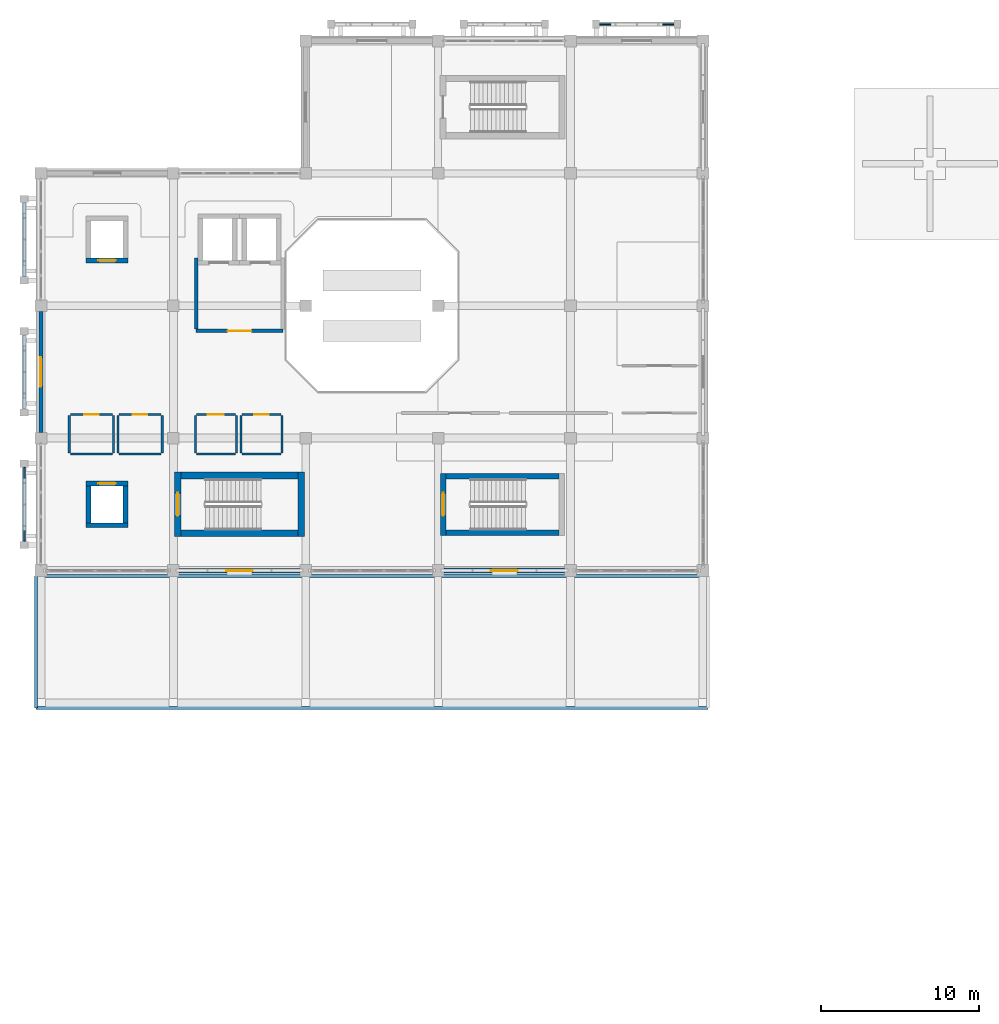
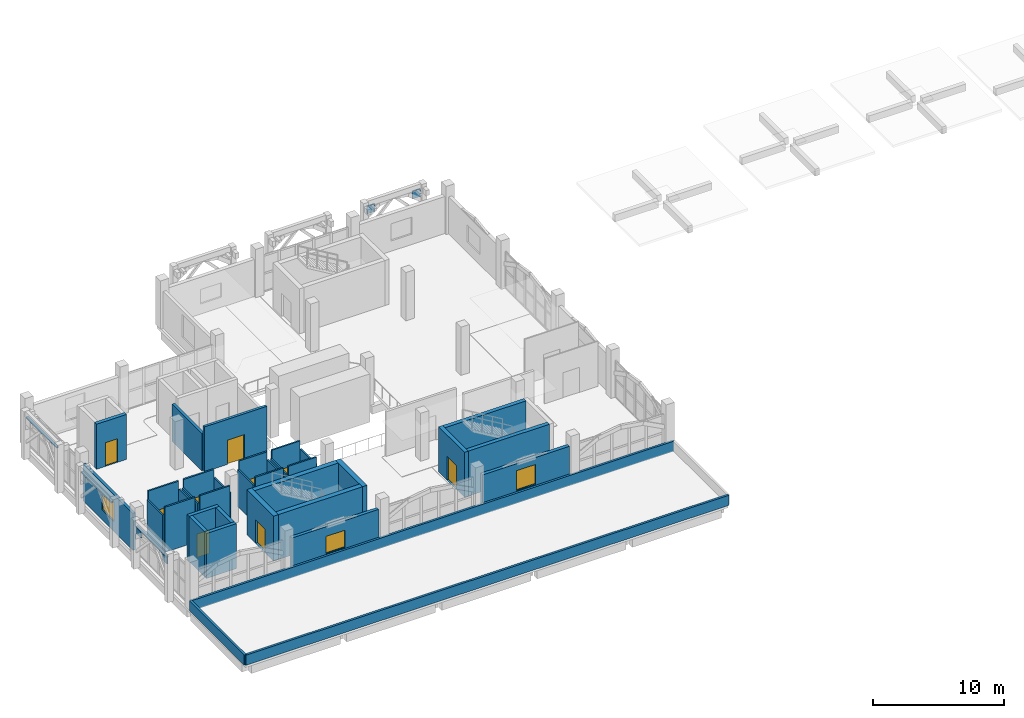
# One storey, part 23 of 30: 39 walls, 9 doors, 4 plates, 3 windows, 12 openings.
"""IFC4 building model written with IfcOpenShell, lengths in metres."""

from ifc_helpers import new_model, si_unit, direction, frame, frame_2d, origin, origin_2d, place, context, subcontext, project, spatial, rectangle, extrude, material, layer, layer_set, type_object, element, fill, save


model = new_model("IFC4")

# Units and contexts
model_context = context("Model", 3, precision=1e-05, world=origin(), true_north=direction((0.0, 1.0)))
body_context = subcontext(model_context, "Body", "Model", "MODEL_VIEW")
ifc_project = project(units=[si_unit("LENGTHUNIT", "METRE"), si_unit("AREAUNIT", "SQUARE_METRE"), si_unit("VOLUMEUNIT", "CUBIC_METRE"), si_unit("PLANEANGLEUNIT", "RADIAN"), si_unit("MASSUNIT", "GRAM", prefix="KILO")], contexts=[model_context])

# Site, building, storey
site_placement = place(None, origin())
site = spatial("IfcSite", under=ifc_project, at=site_placement, CompositionType="ELEMENT")
building_placement = place(site_placement, origin())
building = spatial("IfcBuilding", under=site, at=building_placement, Name="Xazarin Passage Department Store", CompositionType="ELEMENT")
storey_placement = place(building_placement, frame((0.0, 0.0, 23.39990234375)))
storey = spatial("IfcBuildingStorey", under=building, at=storey_placement, Name="L05", CompositionType="ELEMENT", Elevation=23.39990234375)

# Plates
ifc_material_1 = material(Name="Precast concrete C40/50", Category="concrete")
ifc_layer_1 = layer(ifc_material_1, 0.10009765625)
ifc_layer_set_1 = layer_set([ifc_layer_1], Name="Precast concrete C40/50")
plate_type = type_object("IfcPlateType", Name="ARC-PLT-SCR-03", PredefinedType="USERDEFINED", material=ifc_layer_set_1)
for number, where, z_axis, x_axis, name in (
    (1, (35.800048828125, 111.050048828125, 3.26025390625), (0.0, 0.0, 1.0), (1.0, 0.0, 0.0), "L05 V1 Arch Spandrel Tympanum 0043"),
    (2, (39.800048828125, 111.050048828125, 3.26025390625), (0.0, 0.0, 1.0), (1.0, 0.0, 0.0), "L05 V1 Arch Spandrel Tympanum 0044"),
    (3, (-1.050048828125, 78.60009765625, 3.26025390625), (0.0, 0.0, 1.0), (0.0, 1.0, 0.0), "L05 V1 Arch Spandrel Tympanum 0103"),
    (4, (-1.050048828125, 82.60009765625, 3.26025390625), (0.0, 0.0, 1.0), (0.0, 1.0, 0.0), "L05 V1 Arch Spandrel Tympanum 0104"),
):
    element("IfcPlate", number, at=place(storey_placement, frame(where, z_axis=z_axis, x_axis=x_axis)), inside=storey, type_object=plate_type, Name=name, ObjectType="SCREEN PANEL", PredefinedType="USERDEFINED", context=body_context, shape_type="SweptSolid", body=[
        extrude(rectangle(XDim=0.679931640625, YDim=0.10009765625, at=origin_2d()), origin(), (0.0, 0.0, 1.0), 0.719970703125),
    ])

# Wall, opening, window
ifc_layer_2 = layer(ifc_material_1, 0.239990234375)
ifc_layer_set_2 = layer_set([ifc_layer_2], Name="Precast concrete C40/50")
wall_type_1 = type_object("IfcWallType", Name="ARC-W-EXT240", PredefinedType="SOLIDWALL", material=ifc_layer_set_2)
wall_1_placement = place(storey_placement, frame((0.0, 85.175048828125, 0.0), z_axis=(0.0, 0.0, 1.0), x_axis=(0.0, 1.0, 0.0)))
wall_1 = element("IfcWall", 5, at=wall_1_placement, inside=storey, type_object=wall_type_1, Name="L05 V1 Exterior Wall 065", PredefinedType="SOLIDWALL", context=body_context, shape_type="SweptSolid", body=[
    extrude(rectangle(XDim=7.64990234375, YDim=0.239990234375, at=frame_2d((3.824951171875, 0.0))), origin(), (0.0, 0.0, 1.0), 3.4501953125),
])
opening_1_placement = place(wall_1_placement, frame((2.89990234375, 0.0, 0.949951171875)))
opening_1 = element("IfcOpeningElement", 6, at=opening_1_placement, cuts=wall_1, Name="Opening W27", PredefinedType="OPENING", context=body_context, shape_type="SweptSolid", body=[
    extrude(rectangle(XDim=1.85009765625, YDim=1.85009765625, at=frame_2d((0.925048828125, 0.925048828125))), frame((0.0, 0.1298828125, 0.0), z_axis=(0.0, -1.0, 0.0), x_axis=(1.0, 0.0, 0.0)), (0.0, 0.0, 1.0), 0.260009765625),
])
ifc_material_2 = material(Name="Low-E laminated safety glass", Category="glass")
window_type_1 = type_object("IfcWindowType", Name="ARC-WIN-W27", PartitioningType="DOUBLE_PANEL_VERTICAL", PredefinedType="WINDOW", material=ifc_material_2)
window_1_placement = place(opening_1_placement, origin())
window_1 = element("IfcWindow", 7, at=window_1_placement, inside=storey, type_object=window_type_1, Name="L05 V1 Facade Window 0027", OverallHeight=1.85009765625, OverallWidth=1.85009765625, PartitioningType="DOUBLE_PANEL_VERTICAL", PredefinedType="WINDOW", context=body_context, shape_type="SweptSolid", body=[
    extrude(rectangle(XDim=1.85009765625, YDim=1.85009765625, at=frame_2d((0.925048828125, 0.925048828125))), frame((0.0, 0.030029296875, 0.0), z_axis=(0.0, -1.0, 0.0), x_axis=(1.0, 0.0, 0.0)), (0.0, 0.0, 1.0), 0.06005859375),
])
fill(opening_1, window_1)

ifc_layer_3 = layer(ifc_material_1, 0.280029296875)
ifc_layer_set_3 = layer_set([ifc_layer_3], Name="Precast concrete C40/50")
wall_type_2 = type_object("IfcWallType", Name="ARC-W-EXT280", PredefinedType="SOLIDWALL", material=ifc_layer_set_3)
wall_2_placement = place(storey_placement, frame((8.77490234375, 76.39990234375, 0.0), z_axis=(0.0, 0.0, 1.0), x_axis=(1.0, 0.0, 0.0)))
wall_2 = element("IfcWall", 8, at=wall_2_placement, inside=storey, type_object=wall_type_2, Name="L05 V1 Exterior Wall 060", PredefinedType="SOLIDWALL", context=body_context, shape_type="SweptSolid", body=[
    extrude(rectangle(XDim=7.650146484375, YDim=0.280029296875, at=frame_2d((3.8251953125, 0.0))), origin(), (0.0, 0.0, 1.0), 3.4501953125),
])
opening_2_placement = place(wall_2_placement, frame((2.97509765625, 0.0, 0.949951171875)))
opening_2 = element("IfcOpeningElement", 9, at=opening_2_placement, cuts=wall_2, Name="Opening W22", PredefinedType="OPENING", context=body_context, shape_type="SweptSolid", body=[
    extrude(rectangle(XDim=1.699951171875, YDim=1.60009765625, at=frame_2d((0.85009765625, 0.800048828125))), frame((0.0, 0.14990234375, 0.0), z_axis=(0.0, -1.0, 0.0), x_axis=(1.0, 0.0, 0.0)), (0.0, 0.0, 1.0), 0.300048828125),
])
window_type_2 = type_object("IfcWindowType", Name="ARC-WIN-W22", PartitioningType="DOUBLE_PANEL_VERTICAL", PredefinedType="WINDOW", material=ifc_material_2)
window_2_placement = place(opening_2_placement, origin())
window_2 = element("IfcWindow", 10, at=window_2_placement, inside=storey, type_object=window_type_2, Name="L05 V1 Facade Window 0022", OverallHeight=1.60009765625, OverallWidth=1.699951171875, PartitioningType="DOUBLE_PANEL_VERTICAL", PredefinedType="WINDOW", context=body_context, shape_type="SweptSolid", body=[
    extrude(rectangle(XDim=1.699951171875, YDim=1.60009765625, at=frame_2d((0.85009765625, 0.800048828125))), frame((0.0, 0.030029296875, 0.0), z_axis=(0.0, -1.0, 0.0), x_axis=(1.0, 0.0, 0.0)), (0.0, 0.0, 1.0), 0.06005859375),
])
fill(opening_2, window_2)

ifc_layer_4 = layer(ifc_material_1, 0.300048828125)
ifc_layer_set_4 = layer_set([ifc_layer_4], Name="Precast concrete C40/50")
wall_type_3 = type_object("IfcWallType", Name="ARC-W-EXT300", PredefinedType="SOLIDWALL", material=ifc_layer_set_4)
wall_3_placement = place(storey_placement, frame((25.574951171875, 76.39990234375, 0.0), z_axis=(0.0, 0.0, 1.0), x_axis=(1.0, 0.0, 0.0)))
wall_3 = element("IfcWall", 11, at=wall_3_placement, inside=storey, type_object=wall_type_3, Name="L05 V1 Exterior Wall 061", PredefinedType="SOLIDWALL", context=body_context, shape_type="SweptSolid", body=[
    extrude(rectangle(XDim=7.650146484375, YDim=0.300048828125, at=frame_2d((3.8251953125, 0.0))), origin(), (0.0, 0.0, 1.0), 3.4501953125),
])
opening_3_placement = place(wall_3_placement, frame((2.97509765625, 0.0, 0.949951171875)))
opening_3 = element("IfcOpeningElement", 12, at=opening_3_placement, cuts=wall_3, Name="Opening W23", PredefinedType="OPENING", context=body_context, shape_type="SweptSolid", body=[
    extrude(rectangle(XDim=1.699951171875, YDim=1.85009765625, at=frame_2d((0.85009765625, 0.925048828125))), frame((0.0, 0.159912109375, 0.0), z_axis=(0.0, -1.0, 0.0), x_axis=(1.0, 0.0, 0.0)), (0.0, 0.0, 1.0), 0.320068359375),
])
window_type_3 = type_object("IfcWindowType", Name="ARC-WIN-W23", PartitioningType="DOUBLE_PANEL_VERTICAL", PredefinedType="WINDOW", material=ifc_material_2)
window_3_placement = place(opening_3_placement, origin())
window_3 = element("IfcWindow", 13, at=window_3_placement, inside=storey, type_object=window_type_3, Name="L05 V1 Facade Window 0023", OverallHeight=1.85009765625, OverallWidth=1.699951171875, PartitioningType="DOUBLE_PANEL_VERTICAL", PredefinedType="WINDOW", context=body_context, shape_type="SweptSolid", body=[
    extrude(rectangle(XDim=1.699951171875, YDim=1.85009765625, at=frame_2d((0.85009765625, 0.925048828125))), frame((0.0, 0.030029296875, 0.0), z_axis=(0.0, -1.0, 0.0), x_axis=(1.0, 0.0, 0.0)), (0.0, 0.0, 1.0), 0.06005859375),
])
fill(opening_3, window_3)

# Wall, opening, door
ifc_material_3 = material(Name="Concrete C35/45", Category="concrete")
ifc_layer_5 = layer(ifc_material_3, 0.22509765625)
ifc_layer_set_5 = layer_set([ifc_layer_5], Name="Concrete C35/45")
wall_type_4 = type_object("IfcWallType", Name="ARC-W-FIR225", PredefinedType="PARTITIONING", material=ifc_layer_set_5)
wall_4_placement = place(storey_placement, frame((9.85009765625, 91.60009765625, 0.0), z_axis=(0.0, 0.0, 1.0), x_axis=(1.0, 0.0, 0.0)))
wall_4 = element("IfcWall", 14, at=wall_4_placement, inside=storey, type_object=wall_type_4, Name="L05 Firefighting Lift Lobby South Wall 0019", PredefinedType="PARTITIONING", context=body_context, shape_type="SweptSolid", body=[
    extrude(rectangle(XDim=5.5, YDim=0.22509765625, at=frame_2d((2.75, 0.0))), origin(), (0.0, 0.0, 1.0), 4.2001953125),
])
opening_4_placement = place(wall_4_placement, frame((2.0, 0.0, 0.0)))
opening_4 = element("IfcOpeningElement", 15, at=opening_4_placement, cuts=wall_4, Name="Opening FD3", PredefinedType="OPENING", context=body_context, shape_type="SweptSolid", body=[
    extrude(rectangle(XDim=1.5, YDim=2.25, at=frame_2d((0.75, 1.125))), frame((0.0, 0.12255859375, 0.0), z_axis=(0.0, -1.0, 0.0), x_axis=(1.0, 0.0, 0.0)), (0.0, 0.0, 1.0), 0.2451171875),
])
ifc_material_4 = material(Name="Steel S355", Category="steel")
door_type_1 = type_object("IfcDoorType", Name="ARC-DR-FFL150", OperationType="NOTDEFINED", PredefinedType="DOOR", material=ifc_material_4)
door_1_placement = place(opening_4_placement, origin())
door_1 = element("IfcDoor", 16, at=door_1_placement, inside=storey, type_object=door_type_1, Name="DR-INT-L05-0019", OperationType="SINGLE_SWING_RIGHT", OverallHeight=2.25, OverallWidth=1.5, PredefinedType="DOOR", context=body_context, shape_type="SweptSolid", body=[
    extrude(rectangle(XDim=1.5, YDim=2.25, at=frame_2d((0.75, 1.125))), frame((0.0, 0.02490234375, 0.0), z_axis=(0.0, -1.0, 0.0), x_axis=(1.0, 0.0, 0.0)), (0.0, 0.0, 1.0), 0.050048828125),
])
fill(opening_4, door_1)

# Walls
wall_5_placement = place(storey_placement, frame((9.85009765625, 91.7099609375, 0.0), z_axis=(0.0, 0.0, 1.0), x_axis=(0.0, 1.0, 0.0)))
element("IfcWall", 17, at=wall_5_placement, inside=storey, type_object=wall_type_4, Name="L05 Firefighting Lift Lobby West Wall 0020", PredefinedType="PARTITIONING", context=body_context, shape_type="SweptSolid", body=[
    extrude(rectangle(XDim=4.530029296875, YDim=0.22509765625, at=frame_2d((2.26513671875, 0.0))), origin(), (0.0, 0.0, 1.0), 3.5),
])
ifc_layer_6 = layer(ifc_material_1, 0.18994140625)
ifc_layer_set_6 = layer_set([ifc_layer_6], Name="Precast concrete C40/50")
wall_type_5 = type_object("IfcWallType", Name="ARC-W-PAR190", PredefinedType="PARAPET", material=ifc_layer_set_6)
wall_6_placement = place(storey_placement, frame((-1.050048828125, 78.27001953125, 3.880126953125), z_axis=(0.0, 0.0, 1.0), x_axis=(0.0, 1.0, 0.0)))
element("IfcWall", 18, at=wall_6_placement, inside=storey, type_object=wall_type_5, Name="L05 V1 Pierced-Arch Spandrel Lintel 0052", PredefinedType="PARAPET", context=body_context, shape_type="SweptSolid", body=[
    extrude(rectangle(XDim=4.659912109375, YDim=0.18994140625, at=frame_2d((2.330078125, 0.0))), origin(), (0.0, 0.0, 1.0), 0.119873046875),
])
wall_7_placement = place(storey_placement, frame((-1.050048828125, 86.669921875, 3.880126953125), z_axis=(0.0, 0.0, 1.0), x_axis=(0.0, 1.0, 0.0)))
element("IfcWall", 19, at=wall_7_placement, inside=storey, type_object=wall_type_5, Name="L05 V1 Pierced-Arch Spandrel Lintel 0060", PredefinedType="PARAPET", context=body_context, shape_type="SweptSolid", body=[
    extrude(rectangle(XDim=4.66015625, YDim=0.18994140625, at=frame_2d((2.330078125, 0.0))), origin(), (0.0, 0.0, 1.0), 0.119873046875),
])
wall_8_placement = place(storey_placement, frame((-1.050048828125, 95.070068359375, 3.880126953125), z_axis=(0.0, 0.0, 1.0), x_axis=(0.0, 1.0, 0.0)))
element("IfcWall", 20, at=wall_8_placement, inside=storey, type_object=wall_type_5, Name="L05 V1 Pierced-Arch Spandrel Lintel 0068", PredefinedType="PARAPET", context=body_context, shape_type="SweptSolid", body=[
    extrude(rectangle(XDim=4.659912109375, YDim=0.18994140625, at=frame_2d((2.330078125, 0.0))), origin(), (0.0, 0.0, 1.0), 0.119873046875),
])
wall_9_placement = place(storey_placement, frame((42.300048828125, 76.050048828125, 0.0), z_axis=(0.0, 0.0, 1.0), x_axis=(-1.0, 0.0, 0.0)))
element("IfcWall", 21, at=wall_9_placement, inside=storey, type_object=wall_type_5, Name="L05 Roof Parapet 025", PredefinedType="PARAPET", context=body_context, shape_type="SweptSolid", body=[
    extrude(rectangle(XDim=42.60009765625, YDim=0.18994140625, at=frame_2d((21.300048828125, 0.0))), origin(), (0.0, 0.0, 1.0), 0.9501953125),
])
wall_10_placement = place(storey_placement, frame((-0.300048828125, 76.050048828125, 0.0), z_axis=(0.0, 0.0, 1.0), x_axis=(0.0, -1.0, 0.0)))
element("IfcWall", 22, at=wall_10_placement, inside=storey, type_object=wall_type_5, Name="L05 Roof Parapet 026", PredefinedType="PARAPET", context=body_context, shape_type="SweptSolid", body=[
    extrude(rectangle(XDim=8.35009765625, YDim=0.18994140625, at=frame_2d((4.175048828125, 0.0))), origin(), (0.0, 0.0, 1.0), 0.9501953125),
])
wall_11_placement = place(storey_placement, frame((-0.300048828125, 67.699951171875, 0.0), z_axis=(0.0, 0.0, 1.0), x_axis=(1.0, 0.0, 0.0)))
element("IfcWall", 23, at=wall_11_placement, inside=storey, type_object=wall_type_5, Name="L05 Roof Parapet 027", PredefinedType="PARAPET", context=body_context, shape_type="SweptSolid", body=[
    extrude(rectangle(XDim=42.60009765625, YDim=0.18994140625, at=frame_2d((21.300048828125, 0.0))), origin(), (0.0, 0.0, 1.0), 0.9501953125),
])

# Wall, opening, door
ifc_material_5 = material(Name="Moisture-resistant masonry partition", Category="masonry")
ifc_layer_7 = layer(ifc_material_5, 0.139892578125)
ifc_layer_set_7 = layer_set([ifc_layer_7], Name="Moisture-resistant masonry partition")
wall_type_6 = type_object("IfcWallType", Name="ARC-W-PRT140", PredefinedType="PARTITIONING", material=ifc_layer_set_7)
wall_12_placement = place(storey_placement, frame((1.8701171875, 86.300048828125, 0.0), z_axis=(0.0, 0.0, 1.0), x_axis=(1.0, 0.0, 0.0)))
wall_12 = element("IfcWall", 24, at=wall_12_placement, inside=storey, type_object=wall_type_6, Name="L05 Public Male WC 0252", PredefinedType="PARTITIONING", context=body_context, shape_type="SweptSolid", body=[
    extrude(rectangle(XDim=2.659912109375, YDim=0.139892578125, at=frame_2d((1.330078125, 0.0))), origin(), (0.0, 0.0, 1.0), 4.2001953125),
])
opening_5_placement = place(wall_12_placement, frame((0.8701171875, 0.0, 0.0)))
opening_5 = element("IfcOpeningElement", 25, at=opening_5_placement, cuts=wall_12, Name="Opening ID1", PredefinedType="OPENING", context=body_context, shape_type="SweptSolid", body=[
    extrude(rectangle(XDim=0.919921875, YDim=2.1201171875, at=frame_2d((0.4599609375, 1.06005859375))), frame((0.0, 0.079833984375, 0.0), z_axis=(0.0, -1.0, 0.0), x_axis=(1.0, 0.0, 0.0)), (0.0, 0.0, 1.0), 0.159912109375),
])
ifc_material_6 = material(Name="Timber acoustic leaf", Category="wood")
door_type_2 = type_object("IfcDoorType", Name="ARC-DR-WC092", OperationType="NOTDEFINED", PredefinedType="DOOR", material=ifc_material_6)
door_2_placement = place(opening_5_placement, origin())
door_2 = element("IfcDoor", 26, at=door_2_placement, inside=storey, type_object=door_type_2, Name="DR-INT-L05-0252", OperationType="SINGLE_SWING_RIGHT", OverallHeight=2.1201171875, OverallWidth=0.919921875, PredefinedType="DOOR", context=body_context, shape_type="SweptSolid", body=[
    extrude(rectangle(XDim=0.919921875, YDim=2.1201171875, at=frame_2d((0.4599609375, 1.06005859375))), frame((0.0, 0.02490234375, 0.0), z_axis=(0.0, -1.0, 0.0), x_axis=(1.0, 0.0, 0.0)), (0.0, 0.0, 1.0), 0.050048828125),
])
fill(opening_5, door_2)

# Walls
wall_13_placement = place(storey_placement, frame((1.8701171875, 83.800048828125, 0.0), z_axis=(0.0, 0.0, 1.0), x_axis=(1.0, 0.0, 0.0)))
element("IfcWall", 27, at=wall_13_placement, inside=storey, type_object=wall_type_6, Name="L05 Public Male WC Back Wall 0253", PredefinedType="PARTITIONING", context=body_context, shape_type="SweptSolid", body=[
    extrude(rectangle(XDim=2.659912109375, YDim=0.139892578125, at=frame_2d((1.330078125, 0.0))), origin(), (0.0, 0.0, 1.0), 4.2001953125),
])
for number, where, z_axis, x_axis, name in (
    (28, (1.800048828125, 83.8701171875, 0.0), (0.0, 0.0, 1.0), (0.0, 1.0, 0.0), "L05 Public Male WC Side Wall 0254"),
    (29, (4.60009765625, 83.8701171875, 0.0), (0.0, 0.0, 1.0), (0.0, 1.0, 0.0), "L05 Public Male WC Side Wall 0255"),
):
    element("IfcWall", number, at=place(storey_placement, frame(where, z_axis=z_axis, x_axis=x_axis)), inside=storey, type_object=wall_type_6, Name=name, PredefinedType="PARTITIONING", context=body_context, shape_type="SweptSolid", body=[
        extrude(rectangle(XDim=2.35986328125, YDim=0.139892578125, at=frame_2d((1.179931640625, 0.0))), origin(), (0.0, 0.0, 1.0), 3.4501953125),
    ])

# Wall, opening, door
wall_14_placement = place(storey_placement, frame((4.969970703125, 86.300048828125, 0.0), z_axis=(0.0, 0.0, 1.0), x_axis=(1.0, 0.0, 0.0)))
wall_14 = element("IfcWall", 30, at=wall_14_placement, inside=storey, type_object=wall_type_6, Name="L05 Public Female WC 0256", PredefinedType="PARTITIONING", context=body_context, shape_type="SweptSolid", body=[
    extrude(rectangle(XDim=2.659912109375, YDim=0.139892578125, at=frame_2d((1.330078125, 0.0))), origin(), (0.0, 0.0, 1.0), 4.2001953125),
])
opening_6_placement = place(wall_14_placement, frame((0.8701171875, 0.0, 0.0)))
opening_6 = element("IfcOpeningElement", 31, at=opening_6_placement, cuts=wall_14, Name="Opening ID1", PredefinedType="OPENING", context=body_context, shape_type="SweptSolid", body=[
    extrude(rectangle(XDim=0.919921875, YDim=2.1201171875, at=frame_2d((0.4599609375, 1.06005859375))), frame((0.0, 0.079833984375, 0.0), z_axis=(0.0, -1.0, 0.0), x_axis=(1.0, 0.0, 0.0)), (0.0, 0.0, 1.0), 0.159912109375),
])
door_3_placement = place(opening_6_placement, origin())
door_3 = element("IfcDoor", 32, at=door_3_placement, inside=storey, type_object=door_type_2, Name="DR-INT-L05-0256", OperationType="SINGLE_SWING_LEFT", OverallHeight=2.1201171875, OverallWidth=0.919921875, PredefinedType="DOOR", context=body_context, shape_type="SweptSolid", body=[
    extrude(rectangle(XDim=0.919921875, YDim=2.1201171875, at=frame_2d((0.4599609375, 1.06005859375))), frame((0.0, 0.02490234375, 0.0), z_axis=(0.0, -1.0, 0.0), x_axis=(1.0, 0.0, 0.0)), (0.0, 0.0, 1.0), 0.050048828125),
])
fill(opening_6, door_3)

# Walls
wall_15_placement = place(storey_placement, frame((4.969970703125, 83.800048828125, 0.0), z_axis=(0.0, 0.0, 1.0), x_axis=(1.0, 0.0, 0.0)))
element("IfcWall", 33, at=wall_15_placement, inside=storey, type_object=wall_type_6, Name="L05 Public Female WC Back Wall 0257", PredefinedType="PARTITIONING", context=body_context, shape_type="SweptSolid", body=[
    extrude(rectangle(XDim=2.659912109375, YDim=0.139892578125, at=frame_2d((1.330078125, 0.0))), origin(), (0.0, 0.0, 1.0), 4.2001953125),
])
for number, where, z_axis, x_axis, name in (
    (34, (4.89990234375, 83.8701171875, 0.0), (0.0, 0.0, 1.0), (0.0, 1.0, 0.0), "L05 Public Female WC Side Wall 0258"),
    (35, (7.699951171875, 83.8701171875, 0.0), (0.0, 0.0, 1.0), (0.0, 1.0, 0.0), "L05 Public Female WC Side Wall 0259"),
):
    element("IfcWall", number, at=place(storey_placement, frame(where, z_axis=z_axis, x_axis=x_axis)), inside=storey, type_object=wall_type_6, Name=name, PredefinedType="PARTITIONING", context=body_context, shape_type="SweptSolid", body=[
        extrude(rectangle(XDim=2.35986328125, YDim=0.139892578125, at=frame_2d((1.179931640625, 0.0))), origin(), (0.0, 0.0, 1.0), 3.4501953125),
    ])

# Wall, opening, door
wall_16_placement = place(storey_placement, frame((9.8701171875, 86.300048828125, 0.0), z_axis=(0.0, 0.0, 1.0), x_axis=(1.0, 0.0, 0.0)))
wall_16 = element("IfcWall", 36, at=wall_16_placement, inside=storey, type_object=wall_type_6, Name="L05 Accessible WC 0260", PredefinedType="PARTITIONING", context=body_context, shape_type="SweptSolid", body=[
    extrude(rectangle(XDim=2.4599609375, YDim=0.139892578125, at=frame_2d((1.22998046875, 0.0))), origin(), (0.0, 0.0, 1.0), 4.2001953125),
])
opening_7_placement = place(wall_16_placement, frame((0.719970703125, 0.0, 0.0)))
opening_7 = element("IfcOpeningElement", 37, at=opening_7_placement, cuts=wall_16, Name="Opening ID2", PredefinedType="OPENING", context=body_context, shape_type="SweptSolid", body=[
    extrude(rectangle(XDim=1.02001953125, YDim=2.14990234375, at=frame_2d((0.510009765625, 1.074951171875))), frame((0.0, 0.079833984375, 0.0), z_axis=(0.0, -1.0, 0.0), x_axis=(1.0, 0.0, 0.0)), (0.0, 0.0, 1.0), 0.159912109375),
])
door_type_3 = type_object("IfcDoorType", Name="ARC-DR-AWC102", OperationType="NOTDEFINED", PredefinedType="DOOR", material=ifc_material_6)
door_4_placement = place(opening_7_placement, origin())
door_4 = element("IfcDoor", 38, at=door_4_placement, inside=storey, type_object=door_type_3, Name="DR-INT-L05-0260", OperationType="SINGLE_SWING_RIGHT", OverallHeight=2.14990234375, OverallWidth=1.02001953125, PredefinedType="DOOR", context=body_context, shape_type="SweptSolid", body=[
    extrude(rectangle(XDim=1.02001953125, YDim=2.14990234375, at=frame_2d((0.510009765625, 1.074951171875))), frame((0.0, 0.02490234375, 0.0), z_axis=(0.0, -1.0, 0.0), x_axis=(1.0, 0.0, 0.0)), (0.0, 0.0, 1.0), 0.050048828125),
])
fill(opening_7, door_4)

# Walls
wall_17_placement = place(storey_placement, frame((9.8701171875, 83.800048828125, 0.0), z_axis=(0.0, 0.0, 1.0), x_axis=(1.0, 0.0, 0.0)))
element("IfcWall", 39, at=wall_17_placement, inside=storey, type_object=wall_type_6, Name="L05 Accessible WC Back Wall 0261", PredefinedType="PARTITIONING", context=body_context, shape_type="SweptSolid", body=[
    extrude(rectangle(XDim=2.4599609375, YDim=0.139892578125, at=frame_2d((1.22998046875, 0.0))), origin(), (0.0, 0.0, 1.0), 4.2001953125),
])
for number, where, z_axis, x_axis, name in (
    (40, (9.800048828125, 83.8701171875, 0.0), (0.0, 0.0, 1.0), (0.0, 1.0, 0.0), "L05 Accessible WC Side Wall 0262"),
    (41, (12.39990234375, 83.8701171875, 0.0), (0.0, 0.0, 1.0), (0.0, 1.0, 0.0), "L05 Accessible WC Side Wall 0263"),
):
    element("IfcWall", number, at=place(storey_placement, frame(where, z_axis=z_axis, x_axis=x_axis)), inside=storey, type_object=wall_type_6, Name=name, PredefinedType="PARTITIONING", context=body_context, shape_type="SweptSolid", body=[
        extrude(rectangle(XDim=2.35986328125, YDim=0.139892578125, at=frame_2d((1.179931640625, 0.0))), origin(), (0.0, 0.0, 1.0), 3.4501953125),
    ])

# Wall, opening, door
wall_18_placement = place(storey_placement, frame((12.77001953125, 86.300048828125, 0.0), z_axis=(0.0, 0.0, 1.0), x_axis=(1.0, 0.0, 0.0)))
wall_18 = element("IfcWall", 42, at=wall_18_placement, inside=storey, type_object=wall_type_6, Name="L05 Staff WC 0264", PredefinedType="PARTITIONING", context=body_context, shape_type="SweptSolid", body=[
    extrude(rectangle(XDim=2.4599609375, YDim=0.139892578125, at=frame_2d((1.22998046875, 0.0))), origin(), (0.0, 0.0, 1.0), 4.2001953125),
])
opening_8_placement = place(wall_18_placement, frame((0.77001953125, 0.0, 0.0)))
opening_8 = element("IfcOpeningElement", 43, at=opening_8_placement, cuts=wall_18, Name="Opening ID1", PredefinedType="OPENING", context=body_context, shape_type="SweptSolid", body=[
    extrude(rectangle(XDim=0.919921875, YDim=2.1201171875, at=frame_2d((0.4599609375, 1.06005859375))), frame((0.0, 0.079833984375, 0.0), z_axis=(0.0, -1.0, 0.0), x_axis=(1.0, 0.0, 0.0)), (0.0, 0.0, 1.0), 0.159912109375),
])
door_5_placement = place(opening_8_placement, origin())
door_5 = element("IfcDoor", 44, at=door_5_placement, inside=storey, type_object=door_type_2, Name="DR-INT-L05-0264", OperationType="SINGLE_SWING_LEFT", OverallHeight=2.1201171875, OverallWidth=0.919921875, PredefinedType="DOOR", context=body_context, shape_type="SweptSolid", body=[
    extrude(rectangle(XDim=0.919921875, YDim=2.1201171875, at=frame_2d((0.4599609375, 1.06005859375))), frame((0.0, 0.02490234375, 0.0), z_axis=(0.0, -1.0, 0.0), x_axis=(1.0, 0.0, 0.0)), (0.0, 0.0, 1.0), 0.050048828125),
])
fill(opening_8, door_5)

# Walls
wall_19_placement = place(storey_placement, frame((12.77001953125, 83.800048828125, 0.0), z_axis=(0.0, 0.0, 1.0), x_axis=(1.0, 0.0, 0.0)))
element("IfcWall", 45, at=wall_19_placement, inside=storey, type_object=wall_type_6, Name="L05 Staff WC Back Wall 0265", PredefinedType="PARTITIONING", context=body_context, shape_type="SweptSolid", body=[
    extrude(rectangle(XDim=2.4599609375, YDim=0.139892578125, at=frame_2d((1.22998046875, 0.0))), origin(), (0.0, 0.0, 1.0), 4.2001953125),
])
for number, where, z_axis, x_axis, name in (
    (46, (12.699951171875, 83.8701171875, 0.0), (0.0, 0.0, 1.0), (0.0, 1.0, 0.0), "L05 Staff WC Side Wall 0266"),
    (47, (15.300048828125, 83.8701171875, 0.0), (0.0, 0.0, 1.0), (0.0, 1.0, 0.0), "L05 Staff WC Side Wall 0267"),
):
    element("IfcWall", number, at=place(storey_placement, frame(where, z_axis=z_axis, x_axis=x_axis)), inside=storey, type_object=wall_type_6, Name=name, PredefinedType="PARTITIONING", context=body_context, shape_type="SweptSolid", body=[
        extrude(rectangle(XDim=2.35986328125, YDim=0.139892578125, at=frame_2d((1.179931640625, 0.0))), origin(), (0.0, 0.0, 1.0), 3.4501953125),
    ])
ifc_material_7 = material(Name="Concrete C40/50", Category="concrete")
ifc_layer_8 = layer(ifc_material_7, 0.31005859375)
ifc_layer_set_8 = layer_set([ifc_layer_8], Name="Concrete C40/50")
wall_type_7 = type_object("IfcWallType", Name="STR-W-LFT310", PredefinedType="SHEAR", material=ifc_layer_set_8)
wall_20_placement = place(storey_placement, frame((2.8701171875, 79.27490234375, 0.0), z_axis=(0.0, 0.0, 1.0), x_axis=(1.0, 0.0, 0.0)))
element("IfcWall", 48, at=wall_20_placement, inside=storey, type_object=wall_type_7, Name="L05 Lift PL1 Shaft Wall South", PredefinedType="SHEAR", context=body_context, shape_type="SweptSolid", body=[
    extrude(rectangle(XDim=2.659912109375, YDim=0.31005859375, at=frame_2d((1.330078125, 0.0))), origin(), (0.0, 0.0, 1.0), 4.2001953125),
])

# Wall, opening, door
wall_21_placement = place(storey_placement, frame((2.8701171875, 81.925048828125, 0.0), z_axis=(0.0, 0.0, 1.0), x_axis=(1.0, 0.0, 0.0)))
wall_21 = element("IfcWall", 49, at=wall_21_placement, inside=storey, type_object=wall_type_7, Name="L05 Lift PL1 Shaft Wall North", PredefinedType="SHEAR", context=body_context, shape_type="SweptSolid", body=[
    extrude(rectangle(XDim=2.659912109375, YDim=0.31005859375, at=frame_2d((1.330078125, 0.0))), origin(), (0.0, 0.0, 1.0), 4.2001953125),
])
opening_9_placement = place(wall_21_placement, frame((0.780029296875, 0.0, 0.0)))
opening_9 = element("IfcOpeningElement", 50, at=opening_9_placement, cuts=wall_21, Name="Opening LD-PL1-L05", PredefinedType="OPENING", context=body_context, shape_type="SweptSolid", body=[
    extrude(rectangle(XDim=1.10009765625, YDim=2.199951171875, at=frame_2d((0.550048828125, 1.10009765625))), frame((0.0, 0.1650390625, 0.0), z_axis=(0.0, -1.0, 0.0), x_axis=(1.0, 0.0, 0.0)), (0.0, 0.0, 1.0), 0.330078125),
])
door_type_4 = type_object("IfcDoorType", Name="ARC-DR-LD110", OperationType="NOTDEFINED", PredefinedType="DOOR", material=ifc_material_4)
door_6_placement = place(opening_9_placement, origin())
door_6 = element("IfcDoor", 51, at=door_6_placement, inside=storey, type_object=door_type_4, Name="DR-LD-PL1-L05", OperationType="SLIDING_TO_LEFT", OverallHeight=2.199951171875, OverallWidth=1.10009765625, PredefinedType="DOOR", context=body_context, shape_type="SweptSolid", body=[
    extrude(rectangle(XDim=1.10009765625, YDim=2.199951171875, at=frame_2d((0.550048828125, 1.10009765625))), frame((0.0, 0.02490234375, 0.0), z_axis=(0.0, -1.0, 0.0), x_axis=(1.0, 0.0, 0.0)), (0.0, 0.0, 1.0), 0.050048828125),
])
fill(opening_9, door_6)

# Walls
for number, where, z_axis, x_axis, name in (
    (52, (3.02490234375, 79.429931640625, 0.0), (0.0, 0.0, 1.0), (0.0, 1.0, 0.0), "L05 Lift PL1 Shaft Wall West"),
    (53, (5.375, 79.429931640625, 0.0), (0.0, 0.0, 1.0), (0.0, 1.0, 0.0), "L05 Lift PL1 Shaft Wall East"),
):
    element("IfcWall", number, at=place(storey_placement, frame(where, z_axis=z_axis, x_axis=x_axis)), inside=storey, type_object=wall_type_7, Name=name, PredefinedType="SHEAR", context=body_context, shape_type="SweptSolid", body=[
        extrude(rectangle(XDim=2.340087890625, YDim=0.31005859375, at=frame_2d((1.169921875, 0.0))), origin(), (0.0, 0.0, 1.0), 4.2001953125),
    ])

# Wall, opening, door
wall_22_placement = place(storey_placement, frame((2.8701171875, 96.074951171875, 0.0), z_axis=(0.0, 0.0, 1.0), x_axis=(1.0, 0.0, 0.0)))
wall_22 = element("IfcWall", 54, at=wall_22_placement, inside=storey, type_object=wall_type_7, Name="L05 Lift PL2 Shaft Wall South", PredefinedType="SHEAR", context=body_context, shape_type="SweptSolid", body=[
    extrude(rectangle(XDim=2.659912109375, YDim=0.31005859375, at=frame_2d((1.330078125, 0.0))), origin(), (0.0, 0.0, 1.0), 4.2001953125),
])
opening_10_placement = place(wall_22_placement, frame((0.780029296875, 0.0, 0.0)))
opening_10 = element("IfcOpeningElement", 55, at=opening_10_placement, cuts=wall_22, Name="Opening LD-PL2-L05", PredefinedType="OPENING", context=body_context, shape_type="SweptSolid", body=[
    extrude(rectangle(XDim=1.10009765625, YDim=2.199951171875, at=frame_2d((0.550048828125, 1.10009765625))), frame((0.0, 0.1650390625, 0.0), z_axis=(0.0, -1.0, 0.0), x_axis=(1.0, 0.0, 0.0)), (0.0, 0.0, 1.0), 0.330078125),
])
door_7_placement = place(opening_10_placement, origin())
door_7 = element("IfcDoor", 56, at=door_7_placement, inside=storey, type_object=door_type_4, Name="DR-LD-PL2-L05", OperationType="SLIDING_TO_LEFT", OverallHeight=2.199951171875, OverallWidth=1.10009765625, PredefinedType="DOOR", context=body_context, shape_type="SweptSolid", body=[
    extrude(rectangle(XDim=1.10009765625, YDim=2.199951171875, at=frame_2d((0.550048828125, 1.10009765625))), frame((0.0, 0.02490234375, 0.0), z_axis=(0.0, -1.0, 0.0), x_axis=(1.0, 0.0, 0.0)), (0.0, 0.0, 1.0), 0.050048828125),
])
fill(opening_10, door_7)

ifc_layer_9 = layer(ifc_material_7, 0.35009765625)
ifc_layer_set_9 = layer_set([ifc_layer_9], Name="Concrete C40/50")
wall_type_8 = type_object("IfcWallType", Name="STR-W-SHR350", PredefinedType="SHEAR", material=ifc_layer_set_9)
wall_23_placement = place(storey_placement, frame((25.52490234375, 82.570068359375, 0.0), z_axis=(0.0, 0.0, 1.0), x_axis=(0.0, -1.0, 0.0)))
wall_23 = element("IfcWall", 57, at=wall_23_placement, inside=storey, type_object=wall_type_8, Name="L05 Core K3 West Shear Wall", PredefinedType="SHEAR", context=body_context, shape_type="SweptSolid", body=[
    extrude(rectangle(XDim=3.940185546875, YDim=0.35009765625, at=frame_2d((1.97021484375, 0.0))), origin(), (0.0, 0.0, 1.0), 4.2001953125),
])
opening_11_placement = place(wall_23_placement, frame((1.2451171875, 0.0, 0.0)))
opening_11 = element("IfcOpeningElement", 58, at=opening_11_placement, cuts=wall_23, Name="Opening FD1", PredefinedType="OPENING", context=body_context, shape_type="SweptSolid", body=[
    extrude(rectangle(XDim=1.449951171875, YDim=2.199951171875, at=frame_2d((0.72509765625, 1.10009765625))), frame((0.0, 0.18505859375, 0.0), z_axis=(0.0, -1.0, 0.0), x_axis=(1.0, 0.0, 0.0)), (0.0, 0.0, 1.0), 0.3701171875),
])
door_type_5 = type_object("IfcDoorType", Name="ARC-DR-STR145", OperationType="NOTDEFINED", PredefinedType="DOOR", material=ifc_material_4)
door_8_placement = place(opening_11_placement, origin())
door_8 = element("IfcDoor", 59, at=door_8_placement, inside=storey, type_object=door_type_5, Name="DR-STR-K3-L05", OperationType="SINGLE_SWING_LEFT", OverallHeight=2.199951171875, OverallWidth=1.449951171875, PredefinedType="DOOR", context=body_context, shape_type="SweptSolid", body=[
    extrude(rectangle(XDim=1.449951171875, YDim=2.199951171875, at=frame_2d((0.72509765625, 1.10009765625))), frame((0.0, 0.02490234375, 0.0), z_axis=(0.0, -1.0, 0.0), x_axis=(1.0, 0.0, 0.0)), (0.0, 0.0, 1.0), 0.050048828125),
])
fill(opening_11, door_8)

# Walls
for number, where, z_axis, x_axis, name in (
    (60, (25.699951171875, 78.804931640625, 0.0), (0.0, 0.0, 1.0), (1.0, 0.0, 0.0), "L05 Core K3 South Shear Wall"),
    (61, (25.699951171875, 82.39501953125, 0.0), (0.0, 0.0, 1.0), (1.0, 0.0, 0.0), "L05 Core K3 North Shear Wall"),
):
    element("IfcWall", number, at=place(storey_placement, frame(where, z_axis=z_axis, x_axis=x_axis)), inside=storey, type_object=wall_type_8, Name=name, PredefinedType="SHEAR", context=body_context, shape_type="SweptSolid", body=[
        extrude(rectangle(XDim=7.150146484375, YDim=0.35009765625, at=frame_2d((3.5751953125, 0.0))), origin(), (0.0, 0.0, 1.0), 4.2001953125),
    ])

# Wall, opening, door
ifc_layer_10 = layer(ifc_material_7, 0.419921875)
ifc_layer_set_10 = layer_set([ifc_layer_10], Name="Concrete C40/50")
wall_type_9 = type_object("IfcWallType", Name="STR-W-SHR420", PredefinedType="SHEAR", material=ifc_layer_set_10)
wall_24_placement = place(storey_placement, frame((8.68994140625, 82.639892578125, 0.0), z_axis=(0.0, 0.0, 1.0), x_axis=(0.0, -1.0, 0.0)))
wall_24 = element("IfcWall", 62, at=wall_24_placement, inside=storey, type_object=wall_type_9, Name="L05 Core K1 West Shear Wall", PredefinedType="SHEAR", context=body_context, shape_type="SweptSolid", body=[
    extrude(rectangle(XDim=4.079833984375, YDim=0.419921875, at=frame_2d((2.0400390625, 0.0))), origin(), (0.0, 0.0, 1.0), 4.2001953125),
])
opening_12_placement = place(wall_24_placement, frame((1.31494140625, 0.0, 0.0)))
opening_12 = element("IfcOpeningElement", 63, at=opening_12_placement, cuts=wall_24, Name="Opening FD1", PredefinedType="OPENING", context=body_context, shape_type="SweptSolid", body=[
    extrude(rectangle(XDim=1.449951171875, YDim=2.199951171875, at=frame_2d((0.72509765625, 1.10009765625))), frame((0.0, 0.219970703125, 0.0), z_axis=(0.0, -1.0, 0.0), x_axis=(1.0, 0.0, 0.0)), (0.0, 0.0, 1.0), 0.43994140625),
])
door_9_placement = place(opening_12_placement, origin())
door_9 = element("IfcDoor", 64, at=door_9_placement, inside=storey, type_object=door_type_5, Name="DR-STR-K1-L05", OperationType="SINGLE_SWING_LEFT", OverallHeight=2.199951171875, OverallWidth=1.449951171875, PredefinedType="DOOR", context=body_context, shape_type="SweptSolid", body=[
    extrude(rectangle(XDim=1.449951171875, YDim=2.199951171875, at=frame_2d((0.72509765625, 1.10009765625))), frame((0.0, 0.02490234375, 0.0), z_axis=(0.0, -1.0, 0.0), x_axis=(1.0, 0.0, 0.0)), (0.0, 0.0, 1.0), 0.050048828125),
])
fill(opening_12, door_9)

# Walls
wall_25_placement = place(storey_placement, frame((16.510009765625, 78.56005859375, 0.0), z_axis=(0.0, 0.0, 1.0), x_axis=(0.0, 1.0, 0.0)))
element("IfcWall", 65, at=wall_25_placement, inside=storey, type_object=wall_type_9, Name="L05 Core K1 East Shear Wall", PredefinedType="SHEAR", context=body_context, shape_type="SweptSolid", body=[
    extrude(rectangle(XDim=4.079833984375, YDim=0.419921875, at=frame_2d((2.0400390625, 0.0))), origin(), (0.0, 0.0, 1.0), 4.2001953125),
])
for number, where, z_axis, x_axis, name in (
    (66, (8.89990234375, 78.77001953125, 0.0), (0.0, 0.0, 1.0), (1.0, 0.0, 0.0), "L05 Core K1 South Shear Wall"),
    (67, (8.89990234375, 82.429931640625, 0.0), (0.0, 0.0, 1.0), (1.0, 0.0, 0.0), "L05 Core K1 North Shear Wall"),
):
    element("IfcWall", number, at=place(storey_placement, frame(where, z_axis=z_axis, x_axis=x_axis)), inside=storey, type_object=wall_type_9, Name=name, PredefinedType="SHEAR", context=body_context, shape_type="SweptSolid", body=[
        extrude(rectangle(XDim=7.400146484375, YDim=0.419921875, at=frame_2d((3.7001953125, 0.0))), origin(), (0.0, 0.0, 1.0), 4.2001953125),
    ])

save(model, "model.ifc")
